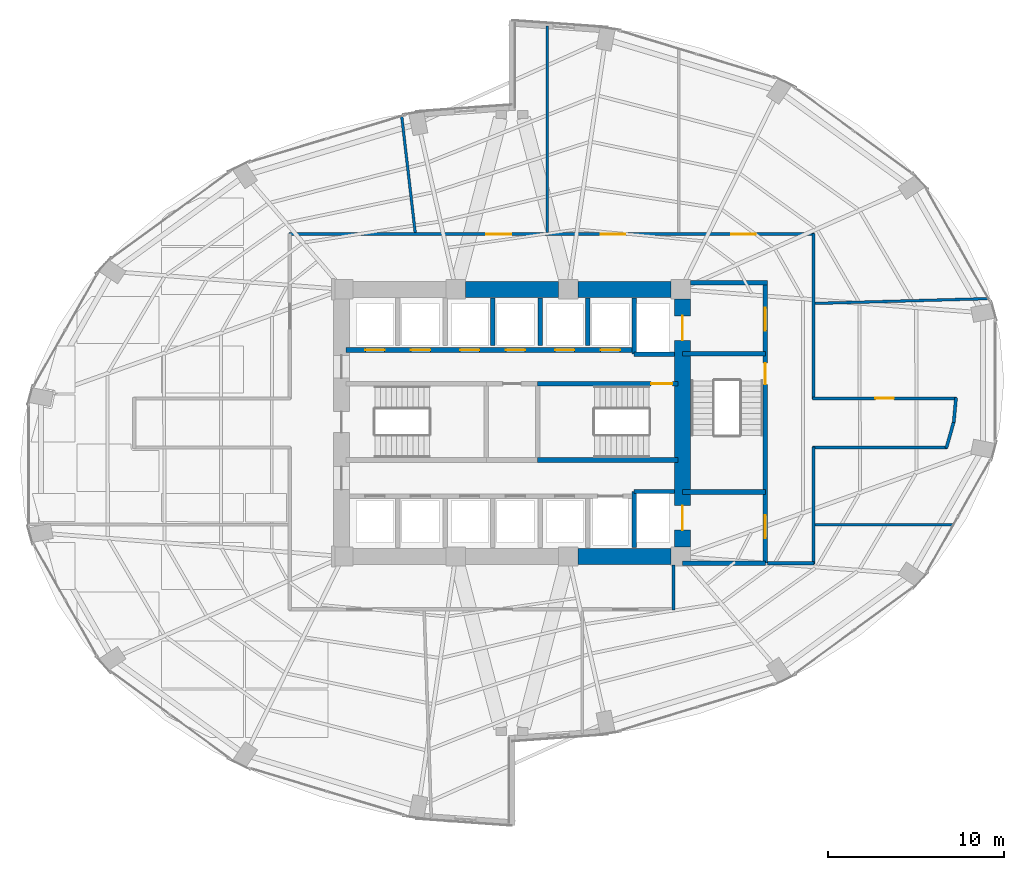
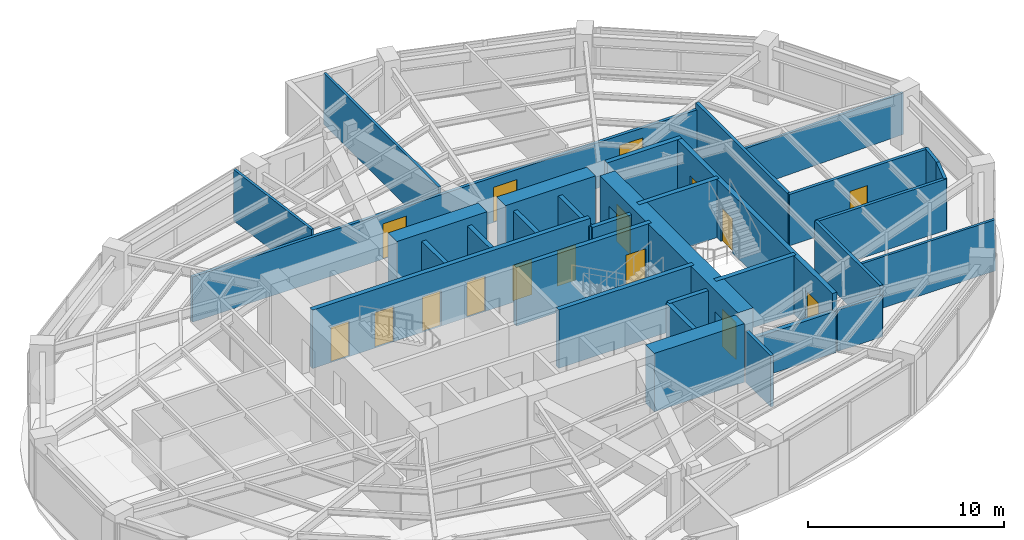
# One storey, part 21 of 24: 32 walls, 16 doors, 16 openings.
"""IFC4 building model written with IfcOpenShell, lengths in metres."""

from ifc_helpers import new_model, si_unit, direction, frame, frame_2d, origin, place, context, subcontext, project, spatial, rectangle, extrude, material, layer, layer_set, type_object, element, fill, save


model = new_model("IFC4")

# Units and contexts
model_context = context("Model", 3, precision=1e-05, world=origin(), true_north=direction((0.0, 1.0)))
body_context = subcontext(model_context, "Body", "Model", "MODEL_VIEW")
ifc_project = project(units=[si_unit("LENGTHUNIT", "METRE"), si_unit("AREAUNIT", "SQUARE_METRE"), si_unit("VOLUMEUNIT", "CUBIC_METRE"), si_unit("PLANEANGLEUNIT", "RADIAN"), si_unit("MASSUNIT", "GRAM", prefix="KILO")], contexts=[model_context])

# Site, building, storey
site_placement = place(None, origin())
site = spatial("IfcSite", under=ifc_project, at=site_placement, CompositionType="ELEMENT")
building_placement = place(site_placement, origin())
building = spatial("IfcBuilding", under=site, at=building_placement, Name="Lazwardi Medical Tower", CompositionType="ELEMENT")
storey_placement = place(building_placement, frame((0.0, 0.0, 72.6240234375)))
storey = spatial("IfcBuildingStorey", under=building, at=storey_placement, Name="L18", CompositionType="ELEMENT", Elevation=72.6240234375)

# Wall, openings, doors
ifc_material_1 = material(Name="Fire-rated gypsum board on steel stud", Category="steel")
ifc_layer_1 = layer(ifc_material_1, 0.179931640625)
ifc_layer_set_1 = layer_set([ifc_layer_1], Name="Fire-rated gypsum board on steel stud")
wall_type_1 = type_object("IfcWallType", Name="WL-COR-180", PredefinedType="PARTITIONING", material=ifc_layer_set_1)
wall_1_placement = place(storey_placement, frame((23.31005859375, 38.75, 0.0), z_axis=(0.0, 0.0, 1.0), x_axis=(1.0, 0.0, 0.0)))
wall_1 = element("IfcWall", 1, at=wall_1_placement, inside=storey, type_object=wall_type_1, Name="L18 Corridor partition 4", PredefinedType="PARTITIONING", context=body_context, shape_type="SweptSolid", body=[
    extrude(rectangle(XDim=29.8798828125, YDim=0.179931640625, at=frame_2d((14.93994140625, 0.0))), origin(), (0.0, 0.0, 1.0), 2.822998046875),
])
opening_1_placement = place(wall_1_placement, frame((25.176025390625, 0.0, 0.0)))
opening_1 = element("IfcOpeningElement", 2, at=opening_1_placement, cuts=wall_1, Name="Opening D-L18-010", PredefinedType="OPENING", context=body_context, shape_type="SweptSolid", body=[
    extrude(rectangle(XDim=1.39990234375, YDim=2.199951171875, at=frame_2d((0.699951171875, 1.10009765625))), frame((0.0, 0.099853515625, 0.0), z_axis=(0.0, -1.0, 0.0), x_axis=(1.0, 0.0, 0.0)), (0.0, 0.0, 1.0), 0.199951171875),
])
opening_2_placement = place(wall_1_placement, frame((17.739990234375, 0.0, 0.0)))
opening_2 = element("IfcOpeningElement", 3, at=opening_2_placement, cuts=wall_1, Name="Opening D-L18-011", PredefinedType="OPENING", context=body_context, shape_type="SweptSolid", body=[
    extrude(rectangle(XDim=1.39990234375, YDim=2.199951171875, at=frame_2d((0.699951171875, 1.10009765625))), frame((0.0, 0.099853515625, 0.0), z_axis=(0.0, -1.0, 0.0), x_axis=(1.0, 0.0, 0.0)), (0.0, 0.0, 1.0), 0.199951171875),
])
opening_3_placement = place(wall_1_placement, frame((11.235595703125, 0.0, 0.0)))
opening_3 = element("IfcOpeningElement", 4, at=opening_3_placement, cuts=wall_1, Name="Opening D-L18-012", PredefinedType="OPENING", context=body_context, shape_type="SweptSolid", body=[
    extrude(rectangle(XDim=1.39990234375, YDim=2.199951171875, at=frame_2d((0.699951171875, 1.10009765625))), frame((0.0, 0.099853515625, 0.0), z_axis=(0.0, -1.0, 0.0), x_axis=(1.0, 0.0, 0.0)), (0.0, 0.0, 1.0), 0.199951171875),
])
ifc_material_2 = material(Name="Anti-microbial laminate hospital leaf")
door_type_1 = type_object("IfcDoorType", Name="DR-BED-1400", OperationType="NOTDEFINED", PredefinedType="DOOR", material=ifc_material_2)
door_1_placement = place(opening_1_placement, origin())
door_1 = element("IfcDoor", 5, at=door_1_placement, inside=storey, type_object=door_type_1, Name="L18 Rehabilitation Gymnasium Door 05", OperationType="SINGLE_SWING_RIGHT", OverallHeight=2.199951171875, OverallWidth=1.39990234375, PredefinedType="DOOR", context=body_context, shape_type="SweptSolid", body=[
    extrude(rectangle(XDim=1.39990234375, YDim=2.199951171875, at=frame_2d((0.699951171875, 1.10009765625))), frame((0.0, 0.02490234375, 0.0), z_axis=(0.0, -1.0, 0.0), x_axis=(1.0, 0.0, 0.0)), (0.0, 0.0, 1.0), 0.050048828125),
])
fill(opening_1, door_1)
door_2_placement = place(opening_2_placement, origin())
door_2 = element("IfcDoor", 6, at=door_2_placement, inside=storey, type_object=door_type_1, Name="L18 Rehabilitation Gymnasium Door 06", OperationType="SINGLE_SWING_LEFT", OverallHeight=2.199951171875, OverallWidth=1.39990234375, PredefinedType="DOOR", context=body_context, shape_type="SweptSolid", body=[
    extrude(rectangle(XDim=1.39990234375, YDim=2.199951171875, at=frame_2d((0.699951171875, 1.10009765625))), frame((0.0, 0.02490234375, 0.0), z_axis=(0.0, -1.0, 0.0), x_axis=(1.0, 0.0, 0.0)), (0.0, 0.0, 1.0), 0.050048828125),
])
fill(opening_2, door_2)
door_3_placement = place(opening_3_placement, origin())
door_3 = element("IfcDoor", 7, at=door_3_placement, inside=storey, type_object=door_type_1, Name="L18 Rehabilitation Gymnasium Door 07", OperationType="SINGLE_SWING_RIGHT", OverallHeight=2.199951171875, OverallWidth=1.39990234375, PredefinedType="DOOR", context=body_context, shape_type="SweptSolid", body=[
    extrude(rectangle(XDim=1.39990234375, YDim=2.199951171875, at=frame_2d((0.699951171875, 1.10009765625))), frame((0.0, 0.02490234375, 0.0), z_axis=(0.0, -1.0, 0.0), x_axis=(1.0, 0.0, 0.0)), (0.0, 0.0, 1.0), 0.050048828125),
])
fill(opening_3, door_3)

# Wall
wall_2_placement = place(storey_placement, frame((53.14990234375, 38.7900390625, 0.0), z_axis=(0.0, 0.0, 1.0), x_axis=(0.0, -1.0, 0.0)))
element("IfcWall", 8, at=wall_2_placement, inside=storey, type_object=wall_type_1, Name="L18 Corridor partition 5", PredefinedType="PARTITIONING", context=body_context, shape_type="SweptSolid", body=[
    extrude(rectangle(XDim=9.429931640625, YDim=0.179931640625, at=frame_2d((4.71484375, 0.0))), origin(), (0.0, 0.0, 1.0), 3.197998046875),
])

# Wall, opening, door
wall_3_placement = place(storey_placement, frame((53.110107421875, 29.39990234375, 0.0), z_axis=(0.0, 0.0, 1.0), x_axis=(1.0, 0.0, 0.0)))
wall_3 = element("IfcWall", 9, at=wall_3_placement, inside=storey, type_object=wall_type_1, Name="L18 Corridor partition 6", PredefinedType="PARTITIONING", context=body_context, shape_type="SweptSolid", body=[
    extrude(rectangle(XDim=8.19677734375, YDim=0.179931640625, at=frame_2d((4.098388671875, 0.0))), origin(), (0.0, 0.0, 1.0), 3.197998046875),
])
opening_4_placement = place(wall_3_placement, frame((3.573486328125, 0.0, 0.0)))
opening_4 = element("IfcOpeningElement", 10, at=opening_4_placement, cuts=wall_3, Name="Opening D-L18-009", PredefinedType="OPENING", context=body_context, shape_type="SweptSolid", body=[
    extrude(rectangle(XDim=1.050048828125, YDim=2.14990234375, at=frame_2d((0.52490234375, 1.074951171875))), frame((0.0, 0.099853515625, 0.0), z_axis=(0.0, -1.0, 0.0), x_axis=(1.0, 0.0, 0.0)), (0.0, 0.0, 1.0), 0.199951171875),
])
door_type_2 = type_object("IfcDoorType", Name="DR-CLN-1050", OperationType="NOTDEFINED", PredefinedType="DOOR", material=ifc_material_2)
door_4_placement = place(opening_4_placement, origin())
door_4 = element("IfcDoor", 11, at=door_4_placement, inside=storey, type_object=door_type_2, Name="L18 Ward Dietetic Pantry Door 04", OperationType="SINGLE_SWING_LEFT", OverallHeight=2.14990234375, OverallWidth=1.050048828125, PredefinedType="DOOR", context=body_context, shape_type="SweptSolid", body=[
    extrude(rectangle(XDim=1.050048828125, YDim=2.14990234375, at=frame_2d((0.52490234375, 1.074951171875))), frame((0.0, 0.02490234375, 0.0), z_axis=(0.0, -1.0, 0.0), x_axis=(1.0, 0.0, 0.0)), (0.0, 0.0, 1.0), 0.050048828125),
])
fill(opening_4, door_4)

# Walls
wall_4_placement = place(storey_placement, frame((61.2705078125, 29.439697265625, 0.0), z_axis=(0.0, 0.0, 1.0), x_axis=(-0.092539930621, -0.995708974169, 0.0)))
element("IfcWall", 12, at=wall_4_placement, inside=storey, type_object=wall_type_1, Name="L18 Corridor partition 7", PredefinedType="PARTITIONING", context=body_context, shape_type="SweptSolid", body=[
    extrude(rectangle(XDim=1.416748046875, YDim=0.179931640625, at=frame_2d((0.70849609375, 0.0))), origin(), (0.0, 0.0, 1.0), 3.197998046875),
])
wall_5_placement = place(storey_placement, frame((61.15380859375, 28.107421875, 0.0), z_axis=(0.0, 0.0, 1.0), x_axis=(-0.271748942561, -0.962368179138, 0.0)))
element("IfcWall", 13, at=wall_5_placement, inside=storey, type_object=wall_type_1, Name="L18 Corridor partition 8", PredefinedType="PARTITIONING", context=body_context, shape_type="SweptSolid", body=[
    extrude(rectangle(XDim=1.6064453125, YDim=0.179931640625, at=frame_2d((0.80322265625, 0.0))), origin(), (0.0, 0.0, 1.0), 3.197998046875),
])
wall_6_placement = place(storey_placement, frame((60.768310546875, 26.60009765625, 0.0), z_axis=(0.0, 0.0, 1.0), x_axis=(-1.0, 0.0, 0.0)))
element("IfcWall", 14, at=wall_6_placement, inside=storey, type_object=wall_type_1, Name="L18 Corridor partition 9", PredefinedType="PARTITIONING", context=body_context, shape_type="SweptSolid", body=[
    extrude(rectangle(XDim=7.658203125, YDim=0.179931640625, at=frame_2d((3.8291015625, 0.0))), origin(), (0.0, 0.0, 1.0), 3.197998046875),
])
wall_7_placement = place(storey_placement, frame((53.14990234375, 26.639892578125, 0.0), z_axis=(0.0, 0.0, 1.0), x_axis=(0.0, -1.0, 0.0)))
element("IfcWall", 15, at=wall_7_placement, inside=storey, type_object=wall_type_1, Name="L18 Corridor partition 10", PredefinedType="PARTITIONING", context=body_context, shape_type="SweptSolid", body=[
    extrude(rectangle(XDim=6.659912109375, YDim=0.179931640625, at=frame_2d((3.330078125, 0.0))), origin(), (0.0, 0.0, 1.0), 3.197998046875),
])
wall_8_placement = place(storey_placement, frame((53.18994140625, 20.02001953125, 0.0), z_axis=(0.0, 0.0, 1.0), x_axis=(-1.0, 0.0, 0.0)))
element("IfcWall", 16, at=wall_8_placement, inside=storey, type_object=wall_type_1, Name="L18 Corridor partition 11", PredefinedType="PARTITIONING", context=body_context, shape_type="SweptSolid", body=[
    extrude(rectangle(XDim=2.64990234375, YDim=0.179931640625, at=frame_2d((1.324951171875, 0.0))), origin(), (0.0, 0.0, 1.0), 2.5830078125),
])
wall_9_placement = place(storey_placement, frame((45.199951171875, 19.909912109375, 0.0), z_axis=(0.0, 0.0, 1.0), x_axis=(0.0, -1.0, 0.0)))
element("IfcWall", 17, at=wall_9_placement, inside=storey, type_object=wall_type_1, Name="L18 Corridor partition 14", PredefinedType="PARTITIONING", context=body_context, shape_type="SweptSolid", body=[
    extrude(rectangle(XDim=2.5498046875, YDim=0.179931640625, at=frame_2d((1.27490234375, 0.0))), origin(), (0.0, 0.0, 1.0), 3.197998046875),
])

# Wall, openings, doors
ifc_material_3 = material(Name="Concrete C80/95", Category="concrete")
ifc_layer_2 = layer(ifc_material_3, 0.89990234375)
ifc_layer_set_2 = layer_set([ifc_layer_2], Name="Concrete C80/95")
wall_type_2 = type_object("IfcWallType", Name="WL-CORE-900", PredefinedType="SHEAR", material=ifc_layer_set_2)
wall_10_placement = place(storey_placement, frame((45.699951171875, 20.949951171875, 0.0), z_axis=(0.0, 0.0, 1.0), x_axis=(0.0, 1.0, 0.0)))
wall_10 = element("IfcWall", 18, at=wall_10_placement, inside=storey, type_object=wall_type_2, Name="Core wall CW-S1 east L18", PredefinedType="SHEAR", context=body_context, shape_type="SweptSolid", body=[
    extrude(rectangle(XDim=14.10009765625, YDim=0.89990234375, at=frame_2d((7.050048828125, 0.0))), origin(), (0.0, 0.0, 1.0), 3.64794921875),
])
opening_5_placement = place(wall_10_placement, frame((11.75, 0.0, 0.0)))
opening_5 = element("IfcOpeningElement", 19, at=opening_5_placement, cuts=wall_10, Name="Opening LD-L18-001", PredefinedType="OPENING", context=body_context, shape_type="SweptSolid", body=[
    extrude(rectangle(XDim=1.39990234375, YDim=2.300048828125, at=frame_2d((0.699951171875, 1.14990234375))), frame((0.0, 0.4599609375, 0.0), z_axis=(0.0, -1.0, 0.0), x_axis=(1.0, 0.0, 0.0)), (0.0, 0.0, 1.0), 0.919921875),
])
opening_6_placement = place(wall_10_placement, frame((0.949951171875, 0.0, 0.0)))
opening_6 = element("IfcOpeningElement", 20, at=opening_6_placement, cuts=wall_10, Name="Opening LD-L18-002", PredefinedType="OPENING", context=body_context, shape_type="SweptSolid", body=[
    extrude(rectangle(XDim=1.39990234375, YDim=2.300048828125, at=frame_2d((0.699951171875, 1.14990234375))), frame((0.0, 0.4599609375, 0.0), z_axis=(0.0, -1.0, 0.0), x_axis=(1.0, 0.0, 0.0)), (0.0, 0.0, 1.0), 0.919921875),
])
ifc_material_4 = material(Name="Brushed stainless steel bed-lift landing door", Category="steel")
door_type_3 = type_object("IfcDoorType", Name="DR-LFT-1400", OperationType="NOTDEFINED", PredefinedType="DOOR", material=ifc_material_4)
door_5_placement = place(opening_5_placement, origin())
door_5 = element("IfcDoor", 21, at=door_5_placement, inside=storey, type_object=door_type_3, Name="L18 Lift Landing Door FL-01", OperationType="SLIDING_TO_LEFT", OverallHeight=2.300048828125, OverallWidth=1.39990234375, PredefinedType="DOOR", context=body_context, shape_type="SweptSolid", body=[
    extrude(rectangle(XDim=1.39990234375, YDim=2.300048828125, at=frame_2d((0.699951171875, 1.14990234375))), frame((0.0, 0.02490234375, 0.0), z_axis=(0.0, -1.0, 0.0), x_axis=(1.0, 0.0, 0.0)), (0.0, 0.0, 1.0), 0.050048828125),
])
fill(opening_5, door_5)
door_6_placement = place(opening_6_placement, origin())
door_6 = element("IfcDoor", 22, at=door_6_placement, inside=storey, type_object=door_type_3, Name="L18 Lift Landing Door FL-02", OperationType="SLIDING_TO_LEFT", OverallHeight=2.300048828125, OverallWidth=1.39990234375, PredefinedType="DOOR", context=body_context, shape_type="SweptSolid", body=[
    extrude(rectangle(XDim=1.39990234375, YDim=2.300048828125, at=frame_2d((0.699951171875, 1.14990234375))), frame((0.0, 0.02490234375, 0.0), z_axis=(0.0, -1.0, 0.0), x_axis=(1.0, 0.0, 0.0)), (0.0, 0.0, 1.0), 0.050048828125),
])
fill(opening_6, door_6)

# Walls
wall_11_placement = place(storey_placement, frame((33.35009765625, 35.60009765625, 0.0), z_axis=(0.0, 0.0, 1.0), x_axis=(1.0, 0.0, 0.0)))
element("IfcWall", 23, at=wall_11_placement, inside=storey, type_object=wall_type_2, Name="Core wall CW-S1 N2 L18", PredefinedType="SHEAR", context=body_context, shape_type="SweptSolid", body=[
    extrude(rectangle(XDim=5.2998046875, YDim=0.89990234375, at=frame_2d((2.64990234375, 0.0))), origin(), (0.0, 0.0, 1.0), 3.64794921875),
])
for number, where, z_axis, x_axis, name in (
    (24, (39.75, 20.39990234375, 0.0), (0.0, 0.0, 1.0), (1.0, 0.0, 0.0), "Core wall CW-S1 S3 L18"),
    (25, (39.75, 35.60009765625, 0.0), (0.0, 0.0, 1.0), (1.0, 0.0, 0.0), "Core wall CW-S1 N3 L18"),
):
    element("IfcWall", number, at=place(storey_placement, frame(where, z_axis=z_axis, x_axis=x_axis)), inside=storey, type_object=wall_type_2, Name=name, PredefinedType="SHEAR", context=body_context, shape_type="SweptSolid", body=[
        extrude(rectangle(XDim=5.300048828125, YDim=0.89990234375, at=frame_2d((2.64990234375, 0.0))), origin(), (0.0, 0.0, 1.0), 3.64794921875),
    ])
ifc_material_5 = material(Name="Autoclaved aerated concrete blockwork", Category="masonry")
ifc_layer_3 = layer(ifc_material_5, 0.25)
ifc_layer_set_3 = layer_set([ifc_layer_3], Name="Autoclaved aerated concrete blockwork")
wall_type_3 = type_object("IfcWallType", Name="WL-SHAFT-250", PredefinedType="SOLIDWALL", material=ifc_layer_set_3)
wall_12_placement = place(storey_placement, frame((42.949951171875, 31.919921875, 0.0), z_axis=(0.0, 0.0, 1.0), x_axis=(0.0, 1.0, 0.0)))
element("IfcWall", 26, at=wall_12_placement, inside=storey, type_object=wall_type_3, Name="L18 FL-01 West shaft wall", PredefinedType="SOLIDWALL", context=body_context, shape_type="SweptSolid", body=[
    extrude(rectangle(XDim=3.18017578125, YDim=0.25, at=frame_2d((1.590087890625, 0.0))), origin(), (0.0, 0.0, 1.0), 3.197998046875),
])
wall_13_placement = place(storey_placement, frame((42.949951171875, 31.919921875, 0.0), z_axis=(0.0, 0.0, 1.0), x_axis=(1.0, 0.0, 0.0)))
element("IfcWall", 27, at=wall_13_placement, inside=storey, type_object=wall_type_3, Name="L18 FL-01 South shaft wall", PredefinedType="SOLIDWALL", context=body_context, shape_type="SweptSolid", body=[
    extrude(rectangle(XDim=2.300048828125, YDim=0.25, at=frame_2d((1.14990234375, 0.0))), origin(), (0.0, 0.0, 1.0), 3.197998046875),
])
wall_14_placement = place(storey_placement, frame((42.949951171875, 20.89990234375, 0.0), z_axis=(0.0, 0.0, 1.0), x_axis=(0.0, 1.0, 0.0)))
element("IfcWall", 28, at=wall_14_placement, inside=storey, type_object=wall_type_3, Name="L18 FL-02 West shaft wall", PredefinedType="SOLIDWALL", context=body_context, shape_type="SweptSolid", body=[
    extrude(rectangle(XDim=3.2001953125, YDim=0.25, at=frame_2d((1.60009765625, 0.0))), origin(), (0.0, 0.0, 1.0), 3.197998046875),
])
wall_15_placement = place(storey_placement, frame((42.949951171875, 24.10009765625, 0.0), z_axis=(0.0, 0.0, 1.0), x_axis=(1.0, 0.0, 0.0)))
element("IfcWall", 29, at=wall_15_placement, inside=storey, type_object=wall_type_3, Name="L18 FL-02 North shaft wall", PredefinedType="SOLIDWALL", context=body_context, shape_type="SweptSolid", body=[
    extrude(rectangle(XDim=2.300048828125, YDim=0.25, at=frame_2d((1.14990234375, 0.0))), origin(), (0.0, 0.0, 1.0), 3.197998046875),
])
for number, where, z_axis, x_axis, name in (
    (30, (34.89990234375, 32.419921875, 0.0), (0.0, 0.0, 1.0), (0.0, 1.0, 0.0), "L18 North hoistway divider"),
    (31, (37.60009765625, 32.419921875, 0.0), (0.0, 0.0, 1.0), (0.0, 1.0, 0.0), "L18 North hoistway divider"),
    (32, (40.300048828125, 32.419921875, 0.0), (0.0, 0.0, 1.0), (0.0, 1.0, 0.0), "L18 North hoistway divider"),
):
    element("IfcWall", number, at=place(storey_placement, frame(where, z_axis=z_axis, x_axis=x_axis)), inside=storey, type_object=wall_type_3, Name=name, PredefinedType="SOLIDWALL", context=body_context, shape_type="SweptSolid", body=[
        extrude(rectangle(XDim=2.68017578125, YDim=0.25, at=frame_2d((1.340087890625, 0.0))), origin(), (0.0, 0.0, 1.0), 3.197998046875),
    ])
wall_16_placement = place(storey_placement, frame((45.699951171875, 20.02001953125, 0.0), z_axis=(0.0, 0.0, 1.0), x_axis=(1.0, 0.0, 0.0)))
element("IfcWall", 33, at=wall_16_placement, inside=storey, type_object=wall_type_3, Name="L18 FFL-S South wall", PredefinedType="SOLIDWALL", context=body_context, shape_type="SweptSolid", body=[
    extrude(rectangle(XDim=4.715087890625, YDim=0.25, at=frame_2d((2.357421875, 0.0))), origin(), (0.0, 0.0, 1.0), 2.5830078125),
])

# Wall, opening, door
ifc_material_6 = material(Name="Concrete C50/60", Category="concrete")
ifc_layer_4 = layer(ifc_material_6, 0.27001953125)
ifc_layer_set_4 = layer_set([ifc_layer_4], Name="Concrete C50/60")
wall_type_4 = type_object("IfcWallType", Name="WL-STR-250", PredefinedType="SHEAR", material=ifc_layer_set_4)
wall_17_placement = place(storey_placement, frame((37.465087890625, 30.235107421875, 0.0), z_axis=(0.0, 0.0, 1.0), x_axis=(1.0, 0.0, 0.0)))
wall_17 = element("IfcWall", 34, at=wall_17_placement, inside=storey, type_object=wall_type_4, Name="L18 ST2 North shear shaft wall SW-S1", PredefinedType="SHEAR", context=body_context, shape_type="SweptSolid", body=[
    extrude(rectangle(XDim=7.98486328125, YDim=0.27001953125, at=frame_2d((3.992431640625, 0.0))), origin(), (0.0, 0.0, 1.0), 3.64794921875),
])
opening_7_placement = place(wall_17_placement, frame((6.455078125, 0.0, 0.0)))
opening_7 = element("IfcOpeningElement", 35, at=opening_7_placement, cuts=wall_17, Name="Opening D-L18-015", PredefinedType="OPENING", context=body_context, shape_type="SweptSolid", body=[
    extrude(rectangle(XDim=1.199951171875, YDim=2.14990234375, at=frame_2d((0.60009765625, 1.074951171875))), frame((0.0, 0.14501953125, 0.0), z_axis=(0.0, -1.0, 0.0), x_axis=(1.0, 0.0, 0.0)), (0.0, 0.0, 1.0), 0.2900390625),
])
ifc_material_7 = material(Name="Fire-rated steel leaf and frame", Category="steel")
door_type_4 = type_object("IfcDoorType", Name="DR-STR-1200", OperationType="NOTDEFINED", PredefinedType="DOOR", material=ifc_material_7)
door_7_placement = place(opening_7_placement, origin())
door_7 = element("IfcDoor", 36, at=door_7_placement, inside=storey, type_object=door_type_4, Name="L18 Exit Stair ST2 Door", OperationType="SINGLE_SWING_LEFT", OverallHeight=2.14990234375, OverallWidth=1.199951171875, PredefinedType="DOOR", context=body_context, shape_type="SweptSolid", body=[
    extrude(rectangle(XDim=1.199951171875, YDim=2.14990234375, at=frame_2d((0.60009765625, 1.074951171875))), frame((0.0, 0.02490234375, 0.0), z_axis=(0.0, -1.0, 0.0), x_axis=(1.0, 0.0, 0.0)), (0.0, 0.0, 1.0), 0.050048828125),
])
fill(opening_7, door_7)

# Wall
wall_18_placement = place(storey_placement, frame((37.465087890625, 25.885009765625, 0.0), z_axis=(0.0, 0.0, 1.0), x_axis=(1.0, 0.0, 0.0)))
element("IfcWall", 37, at=wall_18_placement, inside=storey, type_object=wall_type_4, Name="L18 ST2 South shear shaft wall SW-S1", PredefinedType="SHEAR", context=body_context, shape_type="SweptSolid", body=[
    extrude(rectangle(XDim=7.98486328125, YDim=0.27001953125, at=frame_2d((3.992431640625, 0.0))), origin(), (0.0, 0.0, 1.0), 3.64794921875),
])

# Wall, openings, doors
wall_19_placement = place(storey_placement, frame((26.550048828125, 32.14990234375, 0.0), z_axis=(0.0, 0.0, 1.0), x_axis=(1.0, 0.0, 0.0)))
wall_19 = element("IfcWall", 38, at=wall_19_placement, inside=storey, type_object=wall_type_4, Name="L18 North lift bank shear wall SW-S1", PredefinedType="SHEAR", context=body_context, shape_type="SweptSolid", body=[
    extrude(rectangle(XDim=16.39990234375, YDim=0.27001953125, at=frame_2d((8.199951171875, 0.0))), origin(), (0.0, 0.0, 1.0), 3.64794921875),
])
opening_8_placement = place(wall_19_placement, frame((1.10009765625, 0.0, 0.0)))
opening_8 = element("IfcOpeningElement", 39, at=opening_8_placement, cuts=wall_19, Name="Opening LD-L18-004", PredefinedType="OPENING", context=body_context, shape_type="SweptSolid", body=[
    extrude(rectangle(XDim=1.10009765625, YDim=2.199951171875, at=frame_2d((0.550048828125, 1.10009765625))), frame((0.0, 0.14501953125, 0.0), z_axis=(0.0, -1.0, 0.0), x_axis=(1.0, 0.0, 0.0)), (0.0, 0.0, 1.0), 0.2900390625),
])
opening_9_placement = place(wall_19_placement, frame((3.699951171875, 0.0, 0.0)))
opening_9 = element("IfcOpeningElement", 40, at=opening_9_placement, cuts=wall_19, Name="Opening LD-L18-005", PredefinedType="OPENING", context=body_context, shape_type="SweptSolid", body=[
    extrude(rectangle(XDim=1.10009765625, YDim=2.199951171875, at=frame_2d((0.550048828125, 1.10009765625))), frame((0.0, 0.14501953125, 0.0), z_axis=(0.0, -1.0, 0.0), x_axis=(1.0, 0.0, 0.0)), (0.0, 0.0, 1.0), 0.2900390625),
])
opening_10_placement = place(wall_19_placement, frame((6.5, 0.0, 0.0)))
opening_10 = element("IfcOpeningElement", 41, at=opening_10_placement, cuts=wall_19, Name="Opening LD-L18-008", PredefinedType="OPENING", context=body_context, shape_type="SweptSolid", body=[
    extrude(rectangle(XDim=1.10009765625, YDim=2.199951171875, at=frame_2d((0.550048828125, 1.10009765625))), frame((0.0, 0.14501953125, 0.0), z_axis=(0.0, -1.0, 0.0), x_axis=(1.0, 0.0, 0.0)), (0.0, 0.0, 1.0), 0.2900390625),
])
opening_11_placement = place(wall_19_placement, frame((9.10009765625, 0.0, 0.0)))
opening_11 = element("IfcOpeningElement", 42, at=opening_11_placement, cuts=wall_19, Name="Opening LD-L18-009", PredefinedType="OPENING", context=body_context, shape_type="SweptSolid", body=[
    extrude(rectangle(XDim=1.10009765625, YDim=2.199951171875, at=frame_2d((0.550048828125, 1.10009765625))), frame((0.0, 0.14501953125, 0.0), z_axis=(0.0, -1.0, 0.0), x_axis=(1.0, 0.0, 0.0)), (0.0, 0.0, 1.0), 0.2900390625),
])
opening_12_placement = place(wall_19_placement, frame((11.89990234375, 0.0, 0.0)))
opening_12 = element("IfcOpeningElement", 43, at=opening_12_placement, cuts=wall_19, Name="Opening LD-L18-012", PredefinedType="OPENING", context=body_context, shape_type="SweptSolid", body=[
    extrude(rectangle(XDim=1.10009765625, YDim=2.199951171875, at=frame_2d((0.550048828125, 1.10009765625))), frame((0.0, 0.14501953125, 0.0), z_axis=(0.0, -1.0, 0.0), x_axis=(1.0, 0.0, 0.0)), (0.0, 0.0, 1.0), 0.2900390625),
])
opening_13_placement = place(wall_19_placement, frame((14.5, 0.0, 0.0)))
opening_13 = element("IfcOpeningElement", 44, at=opening_13_placement, cuts=wall_19, Name="Opening LD-L18-013", PredefinedType="OPENING", context=body_context, shape_type="SweptSolid", body=[
    extrude(rectangle(XDim=1.10009765625, YDim=2.199951171875, at=frame_2d((0.550048828125, 1.10009765625))), frame((0.0, 0.14501953125, 0.0), z_axis=(0.0, -1.0, 0.0), x_axis=(1.0, 0.0, 0.0)), (0.0, 0.0, 1.0), 0.2900390625),
])
ifc_material_8 = material(Name="Brushed bronze stainless steel landing door", Category="steel")
door_type_5 = type_object("IfcDoorType", Name="DR-LFT-1100", OperationType="NOTDEFINED", PredefinedType="DOOR", material=ifc_material_8)
door_8_placement = place(opening_8_placement, origin())
door_8 = element("IfcDoor", 45, at=door_8_placement, inside=storey, type_object=door_type_5, Name="L18 Lift Landing Door PL-01", OperationType="SLIDING_TO_LEFT", OverallHeight=2.199951171875, OverallWidth=1.10009765625, PredefinedType="DOOR", context=body_context, shape_type="SweptSolid", body=[
    extrude(rectangle(XDim=1.10009765625, YDim=2.199951171875, at=frame_2d((0.550048828125, 1.10009765625))), frame((0.0, 0.02490234375, 0.0), z_axis=(0.0, -1.0, 0.0), x_axis=(1.0, 0.0, 0.0)), (0.0, 0.0, 1.0), 0.050048828125),
])
fill(opening_8, door_8)
door_9_placement = place(opening_9_placement, origin())
door_9 = element("IfcDoor", 46, at=door_9_placement, inside=storey, type_object=door_type_5, Name="L18 Lift Landing Door PL-02", OperationType="SLIDING_TO_LEFT", OverallHeight=2.199951171875, OverallWidth=1.10009765625, PredefinedType="DOOR", context=body_context, shape_type="SweptSolid", body=[
    extrude(rectangle(XDim=1.10009765625, YDim=2.199951171875, at=frame_2d((0.550048828125, 1.10009765625))), frame((0.0, 0.02490234375, 0.0), z_axis=(0.0, -1.0, 0.0), x_axis=(1.0, 0.0, 0.0)), (0.0, 0.0, 1.0), 0.050048828125),
])
fill(opening_9, door_9)
door_10_placement = place(opening_10_placement, origin())
door_10 = element("IfcDoor", 47, at=door_10_placement, inside=storey, type_object=door_type_5, Name="L18 Lift Landing Door PL-05", OperationType="SLIDING_TO_LEFT", OverallHeight=2.199951171875, OverallWidth=1.10009765625, PredefinedType="DOOR", context=body_context, shape_type="SweptSolid", body=[
    extrude(rectangle(XDim=1.10009765625, YDim=2.199951171875, at=frame_2d((0.550048828125, 1.10009765625))), frame((0.0, 0.02490234375, 0.0), z_axis=(0.0, -1.0, 0.0), x_axis=(1.0, 0.0, 0.0)), (0.0, 0.0, 1.0), 0.050048828125),
])
fill(opening_10, door_10)
door_11_placement = place(opening_11_placement, origin())
door_11 = element("IfcDoor", 48, at=door_11_placement, inside=storey, type_object=door_type_5, Name="L18 Lift Landing Door PL-06", OperationType="SLIDING_TO_LEFT", OverallHeight=2.199951171875, OverallWidth=1.10009765625, PredefinedType="DOOR", context=body_context, shape_type="SweptSolid", body=[
    extrude(rectangle(XDim=1.10009765625, YDim=2.199951171875, at=frame_2d((0.550048828125, 1.10009765625))), frame((0.0, 0.02490234375, 0.0), z_axis=(0.0, -1.0, 0.0), x_axis=(1.0, 0.0, 0.0)), (0.0, 0.0, 1.0), 0.050048828125),
])
fill(opening_11, door_11)
door_12_placement = place(opening_12_placement, origin())
door_12 = element("IfcDoor", 49, at=door_12_placement, inside=storey, type_object=door_type_5, Name="L18 Lift Landing Door PL-09", OperationType="SLIDING_TO_LEFT", OverallHeight=2.199951171875, OverallWidth=1.10009765625, PredefinedType="DOOR", context=body_context, shape_type="SweptSolid", body=[
    extrude(rectangle(XDim=1.10009765625, YDim=2.199951171875, at=frame_2d((0.550048828125, 1.10009765625))), frame((0.0, 0.02490234375, 0.0), z_axis=(0.0, -1.0, 0.0), x_axis=(1.0, 0.0, 0.0)), (0.0, 0.0, 1.0), 0.050048828125),
])
fill(opening_12, door_12)
door_13_placement = place(opening_13_placement, origin())
door_13 = element("IfcDoor", 50, at=door_13_placement, inside=storey, type_object=door_type_5, Name="L18 Lift Landing Door PL-10", OperationType="SLIDING_TO_LEFT", OverallHeight=2.199951171875, OverallWidth=1.10009765625, PredefinedType="DOOR", context=body_context, shape_type="SweptSolid", body=[
    extrude(rectangle(XDim=1.10009765625, YDim=2.199951171875, at=frame_2d((0.550048828125, 1.10009765625))), frame((0.0, 0.02490234375, 0.0), z_axis=(0.0, -1.0, 0.0), x_axis=(1.0, 0.0, 0.0)), (0.0, 0.0, 1.0), 0.050048828125),
])
fill(opening_13, door_13)

wall_20_placement = place(storey_placement, frame((50.4150390625, 35.844970703125, 0.0), z_axis=(0.0, 0.0, 1.0), x_axis=(0.0, -1.0, 0.0)))
wall_20 = element("IfcWall", 51, at=wall_20_placement, inside=storey, type_object=wall_type_4, Name="L18 East ST3 & FFL shear wall SW-S1", PredefinedType="SHEAR", context=body_context, shape_type="SweptSolid", body=[
    extrude(rectangle(XDim=15.824951171875, YDim=0.27001953125, at=frame_2d((7.91259765625, 0.0))), origin(), (0.0, 0.0, 1.0), 3.64794921875),
])
opening_14_placement = place(wall_20_placement, frame((4.445068359375, 0.0, 0.0)))
opening_14 = element("IfcOpeningElement", 52, at=opening_14_placement, cuts=wall_20, Name="Opening D-L18-016", PredefinedType="OPENING", context=body_context, shape_type="SweptSolid", body=[
    extrude(rectangle(XDim=1.199951171875, YDim=2.14990234375, at=frame_2d((0.60009765625, 1.074951171875))), frame((0.0, 0.14501953125, 0.0), z_axis=(0.0, -1.0, 0.0), x_axis=(1.0, 0.0, 0.0)), (0.0, 0.0, 1.0), 0.2900390625),
])
opening_15_placement = place(wall_20_placement, frame((1.294921875, 0.0, 0.0)))
opening_15 = element("IfcOpeningElement", 53, at=opening_15_placement, cuts=wall_20, Name="Opening D-L18-002", PredefinedType="OPENING", context=body_context, shape_type="SweptSolid", body=[
    extrude(rectangle(XDim=1.300048828125, YDim=2.199951171875, at=frame_2d((0.64990234375, 1.10009765625))), frame((0.0, 0.14501953125, 0.0), z_axis=(0.0, -1.0, 0.0), x_axis=(1.0, 0.0, 0.0)), (0.0, 0.0, 1.0), 0.2900390625),
])
opening_16_placement = place(wall_20_placement, frame((13.094970703125, 0.0, 0.0)))
opening_16 = element("IfcOpeningElement", 54, at=opening_16_placement, cuts=wall_20, Name="Opening D-L18-003", PredefinedType="OPENING", context=body_context, shape_type="SweptSolid", body=[
    extrude(rectangle(XDim=1.300048828125, YDim=2.199951171875, at=frame_2d((0.64990234375, 1.10009765625))), frame((0.0, 0.14501953125, 0.0), z_axis=(0.0, -1.0, 0.0), x_axis=(1.0, 0.0, 0.0)), (0.0, 0.0, 1.0), 0.2900390625),
])
door_type_6 = type_object("IfcDoorType", Name="DR-FFL-1300", OperationType="NOTDEFINED", PredefinedType="DOOR", material=ifc_material_7)
door_14_placement = place(opening_15_placement, origin())
door_14 = element("IfcDoor", 55, at=door_14_placement, inside=storey, type_object=door_type_6, Name="L18 Fire-Fighting Lobby North Door", OperationType="SINGLE_SWING_RIGHT", OverallHeight=2.199951171875, OverallWidth=1.300048828125, PredefinedType="DOOR", context=body_context, shape_type="SweptSolid", body=[
    extrude(rectangle(XDim=1.300048828125, YDim=2.199951171875, at=frame_2d((0.64990234375, 1.10009765625))), frame((0.0, 0.02490234375, 0.0), z_axis=(0.0, -1.0, 0.0), x_axis=(1.0, 0.0, 0.0)), (0.0, 0.0, 1.0), 0.050048828125),
])
fill(opening_15, door_14)
door_15_placement = place(opening_16_placement, origin())
door_15 = element("IfcDoor", 56, at=door_15_placement, inside=storey, type_object=door_type_6, Name="L18 Fire-Fighting Lobby South Door", OperationType="SINGLE_SWING_LEFT", OverallHeight=2.199951171875, OverallWidth=1.300048828125, PredefinedType="DOOR", context=body_context, shape_type="SweptSolid", body=[
    extrude(rectangle(XDim=1.300048828125, YDim=2.199951171875, at=frame_2d((0.64990234375, 1.10009765625))), frame((0.0, 0.02490234375, 0.0), z_axis=(0.0, -1.0, 0.0), x_axis=(1.0, 0.0, 0.0)), (0.0, 0.0, 1.0), 0.050048828125),
])
fill(opening_16, door_15)
door_16_placement = place(opening_14_placement, origin())
door_16 = element("IfcDoor", 57, at=door_16_placement, inside=storey, type_object=door_type_4, Name="L18 Exit Stair ST3 Door", OperationType="SINGLE_SWING_LEFT", OverallHeight=2.14990234375, OverallWidth=1.199951171875, PredefinedType="DOOR", context=body_context, shape_type="SweptSolid", body=[
    extrude(rectangle(XDim=1.199951171875, YDim=2.14990234375, at=frame_2d((0.60009765625, 1.074951171875))), frame((0.0, 0.02490234375, 0.0), z_axis=(0.0, -1.0, 0.0), x_axis=(1.0, 0.0, 0.0)), (0.0, 0.0, 1.0), 0.050048828125),
])
fill(opening_14, door_16)

# Walls
wall_21_placement = place(storey_placement, frame((46.14990234375, 35.97998046875, 0.0), z_axis=(0.0, 0.0, 1.0), x_axis=(1.0, 0.0, 0.0)))
element("IfcWall", 58, at=wall_21_placement, inside=storey, type_object=wall_type_4, Name="L18 FFL-N North shear wall SW-S1", PredefinedType="SHEAR", context=body_context, shape_type="SweptSolid", body=[
    extrude(rectangle(XDim=4.400146484375, YDim=0.27001953125, at=frame_2d((2.2001953125, 0.0))), origin(), (0.0, 0.0, 1.0), 3.64794921875),
])
for number, where, z_axis, x_axis, name in (
    (59, (45.699951171875, 31.93505859375, 0.0), (0.0, 0.0, 1.0), (1.0, 0.0, 0.0), "L18 ST3 North shear shaft wall SW-S1"),
    (60, (45.699951171875, 24.06494140625, 0.0), (0.0, 0.0, 1.0), (1.0, 0.0, 0.0), "L18 ST3 South shear shaft wall SW-S1"),
):
    element("IfcWall", number, at=place(storey_placement, frame(where, z_axis=z_axis, x_axis=x_axis)), inside=storey, type_object=wall_type_4, Name=name, PredefinedType="SHEAR", context=body_context, shape_type="SweptSolid", body=[
        extrude(rectangle(XDim=4.715087890625, YDim=0.27001953125, at=frame_2d((2.357421875, 0.0))), origin(), (0.0, 0.0, 1.0), 3.64794921875),
    ])
ifc_material_9 = material(Name="Acoustic gypsum board partition")
ifc_layer_5 = layer(ifc_material_9, 0.14990234375)
ifc_layer_set_5 = layer_set([ifc_layer_5], Name="Acoustic gypsum board partition")
wall_type_5 = type_object("IfcWallType", Name="WL-WRD-150", PredefinedType="PARTITIONING", material=ifc_layer_set_5)
wall_22_placement = place(storey_placement, frame((53.239990234375, 22.199951171875, 0.0), z_axis=(0.0, 0.0, 1.0), x_axis=(1.0, 0.0, 0.0)))
element("IfcWall", 61, at=wall_22_placement, inside=storey, type_object=wall_type_5, Name="L18 Room partition 2", PredefinedType="PARTITIONING", context=body_context, shape_type="SweptSolid", body=[
    extrude(rectangle(XDim=7.87548828125, YDim=0.14990234375, at=frame_2d((3.937744140625, 0.0))), origin(), (0.0, 0.0, 1.0), 3.197998046875),
])
wall_23_placement = place(storey_placement, frame((53.239990234375, 34.802001953125, 0.0), z_axis=(0.0, 0.0, 1.0), x_axis=(0.999620561748, 0.027545099924, 0.0)))
element("IfcWall", 62, at=wall_23_placement, inside=storey, type_object=wall_type_5, Name="L18 Room partition 3", PredefinedType="PARTITIONING", context=body_context, shape_type="SweptSolid", body=[
    extrude(rectangle(XDim=9.891357421875, YDim=0.14990234375, at=frame_2d((4.94580078125, 0.0))), origin(), (0.0, 0.0, 1.0), 2.5830078125),
])
wall_24_placement = place(storey_placement, frame((30.4912109375, 38.839599609375, 0.0), z_axis=(0.0, 0.0, 1.0), x_axis=(-0.115342161953, 0.993325820502, 0.0)))
element("IfcWall", 63, at=wall_24_placement, inside=storey, type_object=wall_type_5, Name="L18 Room partition 4", PredefinedType="PARTITIONING", context=body_context, shape_type="SweptSolid", body=[
    extrude(rectangle(XDim=6.671630859375, YDim=0.14990234375, at=frame_2d((3.3359375, 0.0))), origin(), (0.0, 0.0, 1.0), 3.197998046875),
])
wall_25_placement = place(storey_placement, frame((38.0, 38.840087890625, 0.0), z_axis=(0.0, 0.0, 1.0), x_axis=(0.0, 1.0, 0.0)))
element("IfcWall", 64, at=wall_25_placement, inside=storey, type_object=wall_type_5, Name="L18 Room partition 5", PredefinedType="PARTITIONING", context=body_context, shape_type="SweptSolid", body=[
    extrude(rectangle(XDim=11.743408203125, YDim=0.14990234375, at=frame_2d((5.87158203125, 0.0))), origin(), (0.0, 0.0, 1.0), 3.197998046875),
])

save(model, "model.ifc")
